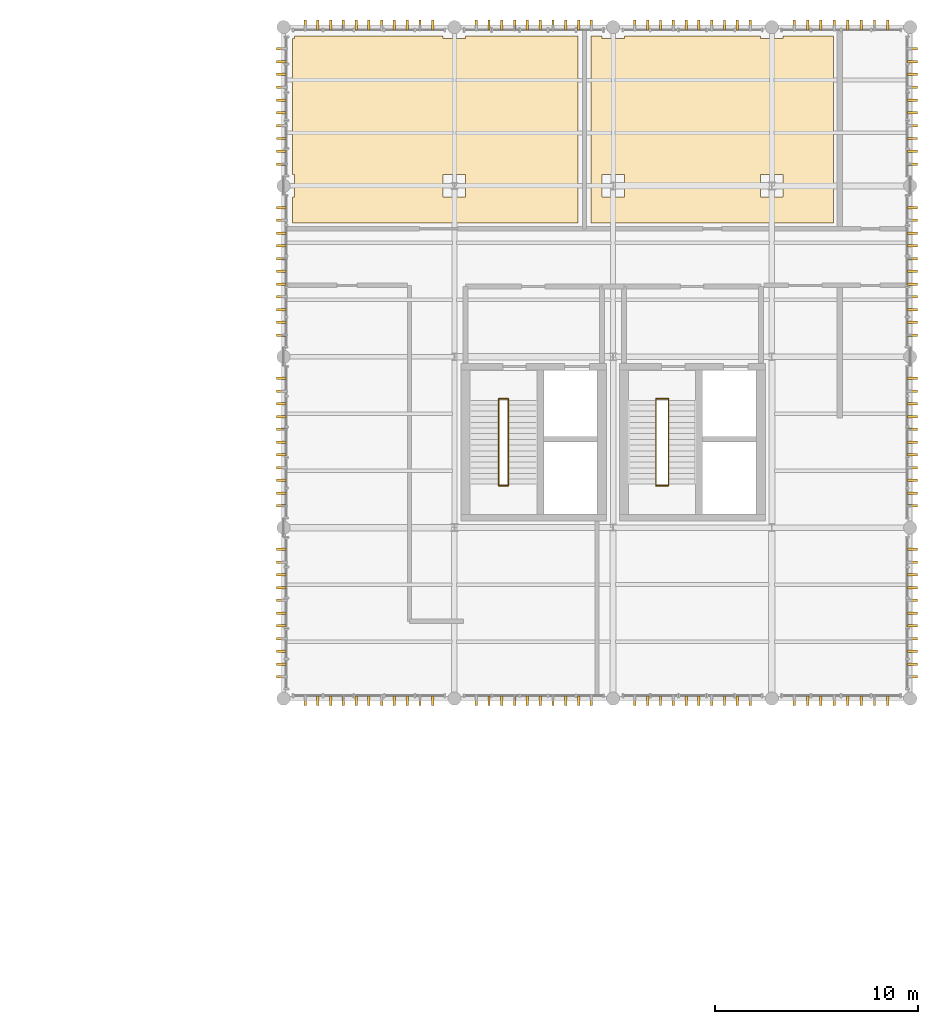
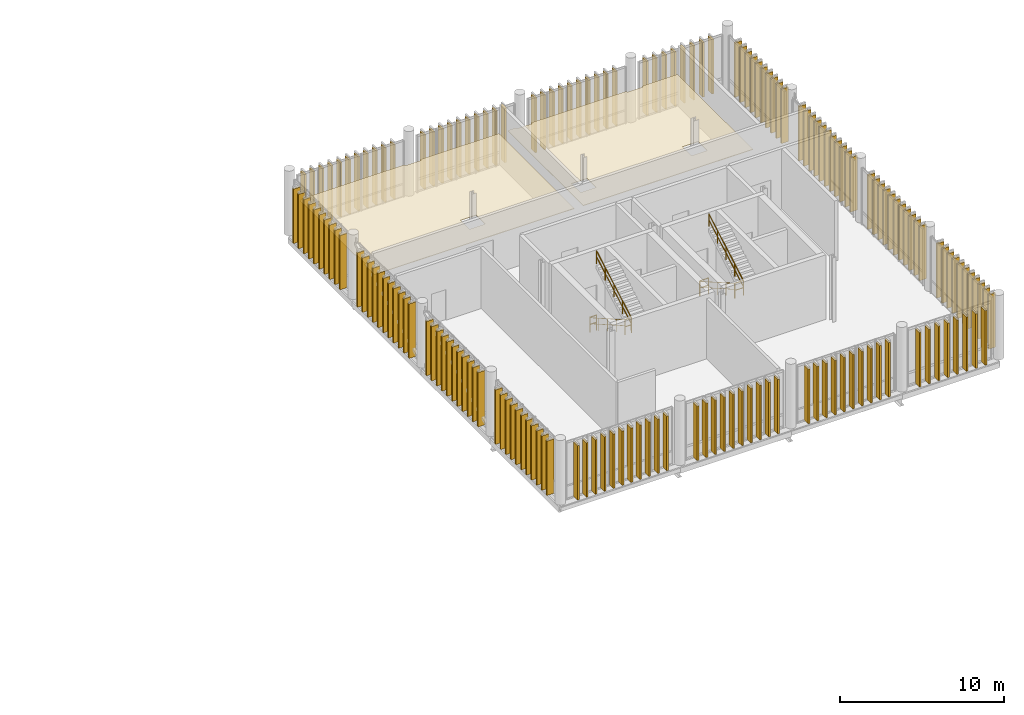
# One storey, part 83 of 86: 166 coverings, 8 railings.
"""IFC4 building model written with IfcOpenShell, lengths in metres."""

from ifc_helpers import new_model, si_unit, direction, frame, frame_2d, origin_with_axes, origin_2d_with_axis, place, context, subcontext, project, spatial, polyline, rectangle, circle, outline, extrude, material, type_object, element, save


model = new_model("IFC4")

# Units and contexts
model_context = context("Model", 3, precision=1e-05, world=origin_with_axes(), true_north=direction((0.0, 1.0)))
body_context = subcontext(model_context, "Body", "Model", "MODEL_VIEW")
ifc_project = project(units=[si_unit("LENGTHUNIT", "METRE"), si_unit("AREAUNIT", "SQUARE_METRE"), si_unit("VOLUMEUNIT", "CUBIC_METRE"), si_unit("PLANEANGLEUNIT", "RADIAN"), si_unit("MASSUNIT", "GRAM", prefix="KILO"), si_unit("THERMODYNAMICTEMPERATUREUNIT", "KELVIN")], contexts=[model_context])

# Site, building, storey
site_placement = place(None, origin_with_axes())
site = spatial("IfcSite", under=ifc_project, at=site_placement, CompositionType="ELEMENT")
building_placement = place(site_placement, origin_with_axes())
building = spatial("IfcBuilding", under=site, at=building_placement, Name="Montbau Bow Law Courts", CompositionType="ELEMENT")
storey_placement = place(building_placement, frame((0.0, 0.0, 29.7), z_axis=(0.0, 0.0, 1.0), x_axis=(1.0, 0.0, 0.0)))
storey = spatial("IfcBuildingStorey", under=building, at=storey_placement, Name="L06", CompositionType="ELEMENT", Elevation=29.7)

# Coverings
ifc_material_1 = material(Name="Micro-Perforated White-Oak Acoustic Courtroom Ceiling", Category="wood")
covering_type_1 = type_object("IfcCoveringType", Name="CV-CLG-01", PredefinedType="CEILING", material=ifc_material_1)
covering_1_placement = place(None, frame((0.0, 0.0, 32.24), z_axis=(0.0, 0.0, 1.0), x_axis=(1.0, 0.0, 0.0)))
element("IfcCovering", 1, at=covering_1_placement, inside=storey, type_object=covering_type_1, Name="CLG-L06-02:cov_3544", PredefinedType="CEILING", context=body_context, shape_type="SweptSolid", body=[
    extrude(outline(polyline([(146.45, 110.56), (146.45, 110.45), (147.55, 110.45), (147.55, 110.56), (153.083, 110.56), (153.083, 101.38), (139.04, 101.38), (139.04, 102.65), (139.15, 102.65), (139.15, 103.75), (139.04, 103.75), (139.04, 110.45), (139.15, 110.45), (139.15, 110.56), (146.45, 110.56)]), holes=[polyline([(146.45, 103.75), (146.45, 102.65), (147.55, 102.65), (147.55, 103.75), (146.45, 103.75)])]), origin_with_axes(), (0.0, 0.0, 1.0), 0.04),
])
ifc_material_2 = material(Name="Mineral-Fibre Acoustic Lay-In Tile Ceiling", Category="gypsum")
covering_type_2 = type_object("IfcCoveringType", Name="CV-CLG-02", PredefinedType="CEILING", material=ifc_material_2)
covering_2_placement = place(None, frame((0.0, 0.0, 32.24), z_axis=(0.0, 0.0, 1.0), x_axis=(1.0, 0.0, 0.0)))
element("IfcCovering", 2, at=covering_2_placement, inside=storey, type_object=covering_type_2, Name="CLG-L06-03:cov_3545", PredefinedType="CEILING", context=body_context, shape_type="SweptSolid", body=[
    extrude(outline(polyline([(154.25, 110.56), (154.25, 110.45), (155.35, 110.45), (155.35, 110.56), (162.05, 110.56), (162.05, 110.45), (163.15, 110.45), (163.15, 110.56), (165.63, 110.56), (165.63, 101.38), (153.703, 101.38), (153.703, 110.56), (154.25, 110.56)]), holes=[polyline([(154.25, 103.75), (154.25, 102.65), (155.35, 102.65), (155.35, 103.75), (154.25, 103.75)]), polyline([(162.05, 102.65), (163.15, 102.65), (163.15, 103.75), (162.05, 103.75), (162.05, 102.65)])]), origin_with_axes(), (0.0, 0.0, 1.0), 0.04),
])
ifc_material_3 = material(Name="Freeze-Thaw Glazed Slate-Grey Ceramic Vertical Louvre", Category="masonry")
covering_type_3 = type_object("IfcCoveringType", Name="CV-LVR-SLT", PredefinedType="CLADDING", material=ifc_material_3)
for number, where, z_axis, x_axis, name in (
    (3, (139.667, 78.13, 29.7), (-1.0, 0.0, 0.0), (0.0, -1.0, 0.0), "CLV-L06-3066:cov_3111"),
    (4, (140.293, 78.13, 29.7), (-1.0, 0.0, 0.0), (0.0, -1.0, 0.0), "CLV-L06-3067:cov_3112"),
    (5, (140.92, 78.13, 29.7), (-1.0, 0.0, 0.0), (0.0, -1.0, 0.0), "CLV-L06-3068:cov_3113"),
    (6, (141.547, 78.13, 29.7), (-1.0, 0.0, 0.0), (0.0, -1.0, 0.0), "CLV-L06-3069:cov_3114"),
    (7, (142.173, 78.13, 29.7), (-1.0, 0.0, 0.0), (0.0, -1.0, 0.0), "CLV-L06-3070:cov_3115"),
    (8, (142.8, 78.13, 29.7), (-1.0, 0.0, 0.0), (0.0, -1.0, 0.0), "CLV-L06-3071:cov_3116"),
    (9, (143.427, 78.13, 29.7), (-1.0, 0.0, 0.0), (0.0, -1.0, 0.0), "CLV-L06-3072:cov_3117"),
    (10, (144.053, 78.13, 29.7), (-1.0, 0.0, 0.0), (0.0, -1.0, 0.0), "CLV-L06-3073:cov_3118"),
    (11, (144.68, 78.13, 29.7), (-1.0, 0.0, 0.0), (0.0, -1.0, 0.0), "CLV-L06-3074:cov_3119"),
    (12, (145.307, 78.13, 29.7), (-1.0, 0.0, 0.0), (0.0, -1.0, 0.0), "CLV-L06-3075:cov_3120"),
    (13, (145.933, 78.13, 29.7), (-1.0, 0.0, 0.0), (0.0, -1.0, 0.0), "CLV-L06-3076:cov_3121"),
    (14, (148.069, 78.13, 29.7), (-1.0, 0.0, 0.0), (0.0, -1.0, 0.0), "CLV-L06-3077:cov_3122"),
    (15, (148.698, 78.13, 29.7), (-1.0, 0.0, 0.0), (0.0, -1.0, 0.0), "CLV-L06-3078:cov_3123"),
    (16, (149.327, 78.13, 29.7), (-1.0, 0.0, 0.0), (0.0, -1.0, 0.0), "CLV-L06-3079:cov_3124"),
    (17, (149.956, 78.13, 29.7), (-1.0, 0.0, 0.0), (0.0, -1.0, 0.0), "CLV-L06-3080:cov_3125"),
    (18, (150.585, 78.13, 29.7), (-1.0, 0.0, 0.0), (0.0, -1.0, 0.0), "CLV-L06-3081:cov_3126"),
    (19, (151.215, 78.13, 29.7), (-1.0, 0.0, 0.0), (0.0, -1.0, 0.0), "CLV-L06-3082:cov_3127"),
    (20, (151.844, 78.13, 29.7), (-1.0, 0.0, 0.0), (0.0, -1.0, 0.0), "CLV-L06-3083:cov_3128"),
    (21, (152.473, 78.13, 29.7), (-1.0, 0.0, 0.0), (0.0, -1.0, 0.0), "CLV-L06-3084:cov_3129"),
    (22, (153.102, 78.13, 29.7), (-1.0, 0.0, 0.0), (0.0, -1.0, 0.0), "CLV-L06-3085:cov_3130"),
    (23, (153.731, 78.13, 29.7), (-1.0, 0.0, 0.0), (0.0, -1.0, 0.0), "CLV-L06-3086:cov_3131"),
    (24, (155.869, 78.13, 29.7), (-1.0, 0.0, 0.0), (0.0, -1.0, 0.0), "CLV-L06-3087:cov_3132"),
    (25, (156.498, 78.13, 29.7), (-1.0, 0.0, 0.0), (0.0, -1.0, 0.0), "CLV-L06-3088:cov_3133"),
    (26, (157.127, 78.13, 29.7), (-1.0, 0.0, 0.0), (0.0, -1.0, 0.0), "CLV-L06-3089:cov_3134"),
    (27, (157.756, 78.13, 29.7), (-1.0, 0.0, 0.0), (0.0, -1.0, 0.0), "CLV-L06-3090:cov_3135"),
    (28, (158.385, 78.13, 29.7), (-1.0, 0.0, 0.0), (0.0, -1.0, 0.0), "CLV-L06-3091:cov_3136"),
    (29, (159.015, 78.13, 29.7), (-1.0, 0.0, 0.0), (0.0, -1.0, 0.0), "CLV-L06-3092:cov_3137"),
    (30, (159.644, 78.13, 29.7), (-1.0, 0.0, 0.0), (0.0, -1.0, 0.0), "CLV-L06-3093:cov_3138"),
    (31, (160.273, 78.13, 29.7), (-1.0, 0.0, 0.0), (0.0, -1.0, 0.0), "CLV-L06-3094:cov_3139"),
    (32, (160.902, 78.13, 29.7), (-1.0, 0.0, 0.0), (0.0, -1.0, 0.0), "CLV-L06-3095:cov_3140"),
    (33, (161.531, 78.13, 29.7), (-1.0, 0.0, 0.0), (0.0, -1.0, 0.0), "CLV-L06-3096:cov_3141"),
    (34, (163.698, 78.13, 29.7), (-1.0, 0.0, 0.0), (0.0, -1.0, 0.0), "CLV-L06-3097:cov_3142"),
    (35, (164.356, 78.13, 29.7), (-1.0, 0.0, 0.0), (0.0, -1.0, 0.0), "CLV-L06-3098:cov_3143"),
    (36, (165.013, 78.13, 29.7), (-1.0, 0.0, 0.0), (0.0, -1.0, 0.0), "CLV-L06-3099:cov_3144"),
    (37, (165.671, 78.13, 29.7), (-1.0, 0.0, 0.0), (0.0, -1.0, 0.0), "CLV-L06-3100:cov_3145"),
    (38, (166.329, 78.13, 29.7), (-1.0, 0.0, 0.0), (0.0, -1.0, 0.0), "CLV-L06-3101:cov_3146"),
    (39, (166.987, 78.13, 29.7), (-1.0, 0.0, 0.0), (0.0, -1.0, 0.0), "CLV-L06-3102:cov_3147"),
    (40, (167.644, 78.13, 29.7), (-1.0, 0.0, 0.0), (0.0, -1.0, 0.0), "CLV-L06-3103:cov_3148"),
    (41, (168.302, 78.13, 29.7), (-1.0, 0.0, 0.0), (0.0, -1.0, 0.0), "CLV-L06-3104:cov_3149"),
    (42, (139.667, 110.87, 29.7), (1.0, 0.0, 0.0), (0.0, 1.0, 0.0), "CLV-L06-3105:cov_3150"),
    (43, (140.293, 110.87, 29.7), (1.0, 0.0, 0.0), (0.0, 1.0, 0.0), "CLV-L06-3106:cov_3151"),
    (44, (140.92, 110.87, 29.7), (1.0, 0.0, 0.0), (0.0, 1.0, 0.0), "CLV-L06-3107:cov_3152"),
    (45, (141.547, 110.87, 29.7), (1.0, 0.0, 0.0), (0.0, 1.0, 0.0), "CLV-L06-3108:cov_3153"),
    (46, (142.173, 110.87, 29.7), (1.0, 0.0, 0.0), (0.0, 1.0, 0.0), "CLV-L06-3109:cov_3154"),
    (47, (142.8, 110.87, 29.7), (1.0, 0.0, 0.0), (0.0, 1.0, 0.0), "CLV-L06-3110:cov_3155"),
    (48, (143.427, 110.87, 29.7), (1.0, 0.0, 0.0), (0.0, 1.0, 0.0), "CLV-L06-3111:cov_3156"),
    (49, (144.053, 110.87, 29.7), (1.0, 0.0, 0.0), (0.0, 1.0, 0.0), "CLV-L06-3112:cov_3157"),
    (50, (144.68, 110.87, 29.7), (1.0, 0.0, 0.0), (0.0, 1.0, 0.0), "CLV-L06-3113:cov_3158"),
    (51, (145.307, 110.87, 29.7), (1.0, 0.0, 0.0), (0.0, 1.0, 0.0), "CLV-L06-3114:cov_3159"),
    (52, (145.933, 110.87, 29.7), (1.0, 0.0, 0.0), (0.0, 1.0, 0.0), "CLV-L06-3115:cov_3160"),
    (53, (148.069, 110.87, 29.7), (1.0, 0.0, 0.0), (0.0, 1.0, 0.0), "CLV-L06-3116:cov_3161"),
    (54, (148.698, 110.87, 29.7), (1.0, 0.0, 0.0), (0.0, 1.0, 0.0), "CLV-L06-3117:cov_3162"),
    (55, (149.327, 110.87, 29.7), (1.0, 0.0, 0.0), (0.0, 1.0, 0.0), "CLV-L06-3118:cov_3163"),
    (56, (149.956, 110.87, 29.7), (1.0, 0.0, 0.0), (0.0, 1.0, 0.0), "CLV-L06-3119:cov_3164"),
    (57, (150.585, 110.87, 29.7), (1.0, 0.0, 0.0), (0.0, 1.0, 0.0), "CLV-L06-3120:cov_3165"),
    (58, (151.215, 110.87, 29.7), (1.0, 0.0, 0.0), (0.0, 1.0, 0.0), "CLV-L06-3121:cov_3166"),
    (59, (151.844, 110.87, 29.7), (1.0, 0.0, 0.0), (0.0, 1.0, 0.0), "CLV-L06-3122:cov_3167"),
    (60, (152.473, 110.87, 29.7), (1.0, 0.0, 0.0), (0.0, 1.0, 0.0), "CLV-L06-3123:cov_3168"),
    (61, (153.102, 110.87, 29.7), (1.0, 0.0, 0.0), (0.0, 1.0, 0.0), "CLV-L06-3124:cov_3169"),
    (62, (153.731, 110.87, 29.7), (1.0, 0.0, 0.0), (0.0, 1.0, 0.0), "CLV-L06-3125:cov_3170"),
    (63, (155.869, 110.87, 29.7), (1.0, 0.0, 0.0), (0.0, 1.0, 0.0), "CLV-L06-3126:cov_3171"),
    (64, (156.498, 110.87, 29.7), (1.0, 0.0, 0.0), (0.0, 1.0, 0.0), "CLV-L06-3127:cov_3172"),
    (65, (157.127, 110.87, 29.7), (1.0, 0.0, 0.0), (0.0, 1.0, 0.0), "CLV-L06-3128:cov_3173"),
    (66, (157.756, 110.87, 29.7), (1.0, 0.0, 0.0), (0.0, 1.0, 0.0), "CLV-L06-3129:cov_3174"),
    (67, (158.385, 110.87, 29.7), (1.0, 0.0, 0.0), (0.0, 1.0, 0.0), "CLV-L06-3130:cov_3175"),
    (68, (159.015, 110.87, 29.7), (1.0, 0.0, 0.0), (0.0, 1.0, 0.0), "CLV-L06-3131:cov_3176"),
    (69, (159.644, 110.87, 29.7), (1.0, 0.0, 0.0), (0.0, 1.0, 0.0), "CLV-L06-3132:cov_3177"),
    (70, (160.273, 110.87, 29.7), (1.0, 0.0, 0.0), (0.0, 1.0, 0.0), "CLV-L06-3133:cov_3178"),
    (71, (160.902, 110.87, 29.7), (1.0, 0.0, 0.0), (0.0, 1.0, 0.0), "CLV-L06-3134:cov_3179"),
    (72, (161.531, 110.87, 29.7), (1.0, 0.0, 0.0), (0.0, 1.0, 0.0), "CLV-L06-3135:cov_3180"),
    (73, (163.698, 110.87, 29.7), (1.0, 0.0, 0.0), (0.0, 1.0, 0.0), "CLV-L06-3136:cov_3181"),
    (74, (164.356, 110.87, 29.7), (1.0, 0.0, 0.0), (0.0, 1.0, 0.0), "CLV-L06-3137:cov_3182"),
    (75, (165.013, 110.87, 29.7), (1.0, 0.0, 0.0), (0.0, 1.0, 0.0), "CLV-L06-3138:cov_3183"),
    (76, (165.671, 110.87, 29.7), (1.0, 0.0, 0.0), (0.0, 1.0, 0.0), "CLV-L06-3139:cov_3184"),
    (77, (166.329, 110.87, 29.7), (1.0, 0.0, 0.0), (0.0, 1.0, 0.0), "CLV-L06-3140:cov_3185"),
    (78, (166.987, 110.87, 29.7), (1.0, 0.0, 0.0), (0.0, 1.0, 0.0), "CLV-L06-3141:cov_3186"),
    (79, (167.644, 110.87, 29.7), (1.0, 0.0, 0.0), (0.0, 1.0, 0.0), "CLV-L06-3142:cov_3187"),
    (80, (168.302, 110.87, 29.7), (1.0, 0.0, 0.0), (0.0, 1.0, 0.0), "CLV-L06-3143:cov_3188"),
    (81, (138.73, 79.067, 29.7), (0.0, 1.0, 0.0), (-1.0, 0.0, 0.0), "CLV-L06-3144:cov_3189"),
    (82, (138.73, 79.693, 29.7), (0.0, 1.0, 0.0), (-1.0, 0.0, 0.0), "CLV-L06-3145:cov_3190"),
    (83, (138.73, 80.32, 29.7), (0.0, 1.0, 0.0), (-1.0, 0.0, 0.0), "CLV-L06-3146:cov_3191"),
    (84, (138.73, 80.947, 29.7), (0.0, 1.0, 0.0), (-1.0, 0.0, 0.0), "CLV-L06-3147:cov_3192"),
    (85, (138.73, 81.573, 29.7), (0.0, 1.0, 0.0), (-1.0, 0.0, 0.0), "CLV-L06-3148:cov_3193"),
    (86, (138.73, 82.2, 29.7), (0.0, 1.0, 0.0), (-1.0, 0.0, 0.0), "CLV-L06-3149:cov_3194"),
    (87, (138.73, 82.827, 29.7), (0.0, 1.0, 0.0), (-1.0, 0.0, 0.0), "CLV-L06-3150:cov_3195"),
    (88, (138.73, 83.453, 29.7), (0.0, 1.0, 0.0), (-1.0, 0.0, 0.0), "CLV-L06-3151:cov_3196"),
    (89, (138.73, 84.08, 29.7), (0.0, 1.0, 0.0), (-1.0, 0.0, 0.0), "CLV-L06-3152:cov_3197"),
    (90, (138.73, 84.707, 29.7), (0.0, 1.0, 0.0), (-1.0, 0.0, 0.0), "CLV-L06-3153:cov_3198"),
    (91, (138.73, 85.333, 29.7), (0.0, 1.0, 0.0), (-1.0, 0.0, 0.0), "CLV-L06-3154:cov_3199"),
    (92, (138.73, 87.467, 29.7), (0.0, 1.0, 0.0), (-1.0, 0.0, 0.0), "CLV-L06-3155:cov_3200"),
    (93, (138.73, 88.093, 29.7), (0.0, 1.0, 0.0), (-1.0, 0.0, 0.0), "CLV-L06-3156:cov_3201"),
    (94, (138.73, 88.72, 29.7), (0.0, 1.0, 0.0), (-1.0, 0.0, 0.0), "CLV-L06-3157:cov_3202"),
    (95, (138.73, 89.347, 29.7), (0.0, 1.0, 0.0), (-1.0, 0.0, 0.0), "CLV-L06-3158:cov_3203"),
    (96, (138.73, 89.973, 29.7), (0.0, 1.0, 0.0), (-1.0, 0.0, 0.0), "CLV-L06-3159:cov_3204"),
    (97, (138.73, 90.6, 29.7), (0.0, 1.0, 0.0), (-1.0, 0.0, 0.0), "CLV-L06-3160:cov_3205"),
    (98, (138.73, 91.227, 29.7), (0.0, 1.0, 0.0), (-1.0, 0.0, 0.0), "CLV-L06-3161:cov_3206"),
    (99, (138.73, 91.853, 29.7), (0.0, 1.0, 0.0), (-1.0, 0.0, 0.0), "CLV-L06-3162:cov_3207"),
    (100, (138.73, 92.48, 29.7), (0.0, 1.0, 0.0), (-1.0, 0.0, 0.0), "CLV-L06-3163:cov_3208"),
    (101, (138.73, 93.107, 29.7), (0.0, 1.0, 0.0), (-1.0, 0.0, 0.0), "CLV-L06-3164:cov_3209"),
    (102, (138.73, 93.733, 29.7), (0.0, 1.0, 0.0), (-1.0, 0.0, 0.0), "CLV-L06-3165:cov_3210"),
    (103, (138.73, 95.867, 29.7), (0.0, 1.0, 0.0), (-1.0, 0.0, 0.0), "CLV-L06-3166:cov_3211"),
    (104, (138.73, 96.493, 29.7), (0.0, 1.0, 0.0), (-1.0, 0.0, 0.0), "CLV-L06-3167:cov_3212"),
    (105, (138.73, 97.12, 29.7), (0.0, 1.0, 0.0), (-1.0, 0.0, 0.0), "CLV-L06-3168:cov_3213"),
    (106, (138.73, 97.747, 29.7), (0.0, 1.0, 0.0), (-1.0, 0.0, 0.0), "CLV-L06-3169:cov_3214"),
    (107, (138.73, 98.373, 29.7), (0.0, 1.0, 0.0), (-1.0, 0.0, 0.0), "CLV-L06-3170:cov_3215"),
    (108, (138.73, 99.0, 29.7), (0.0, 1.0, 0.0), (-1.0, 0.0, 0.0), "CLV-L06-3171:cov_3216"),
    (109, (138.73, 99.627, 29.7), (0.0, 1.0, 0.0), (-1.0, 0.0, 0.0), "CLV-L06-3172:cov_3217"),
    (110, (138.73, 100.253, 29.7), (0.0, 1.0, 0.0), (-1.0, 0.0, 0.0), "CLV-L06-3173:cov_3218"),
    (111, (138.73, 100.88, 29.7), (0.0, 1.0, 0.0), (-1.0, 0.0, 0.0), "CLV-L06-3174:cov_3219"),
    (112, (138.73, 101.507, 29.7), (0.0, 1.0, 0.0), (-1.0, 0.0, 0.0), "CLV-L06-3175:cov_3220"),
    (113, (138.73, 102.133, 29.7), (0.0, 1.0, 0.0), (-1.0, 0.0, 0.0), "CLV-L06-3176:cov_3221"),
    (114, (138.73, 104.269, 29.7), (0.0, 1.0, 0.0), (-1.0, 0.0, 0.0), "CLV-L06-3177:cov_3222"),
    (115, (138.73, 104.898, 29.7), (0.0, 1.0, 0.0), (-1.0, 0.0, 0.0), "CLV-L06-3178:cov_3223"),
    (116, (138.73, 105.527, 29.7), (0.0, 1.0, 0.0), (-1.0, 0.0, 0.0), "CLV-L06-3179:cov_3224"),
    (117, (138.73, 106.156, 29.7), (0.0, 1.0, 0.0), (-1.0, 0.0, 0.0), "CLV-L06-3180:cov_3225"),
    (118, (138.73, 106.785, 29.7), (0.0, 1.0, 0.0), (-1.0, 0.0, 0.0), "CLV-L06-3181:cov_3226"),
    (119, (138.73, 107.415, 29.7), (0.0, 1.0, 0.0), (-1.0, 0.0, 0.0), "CLV-L06-3182:cov_3227"),
    (120, (138.73, 108.044, 29.7), (0.0, 1.0, 0.0), (-1.0, 0.0, 0.0), "CLV-L06-3183:cov_3228"),
    (121, (138.73, 108.673, 29.7), (0.0, 1.0, 0.0), (-1.0, 0.0, 0.0), "CLV-L06-3184:cov_3229"),
    (122, (138.73, 109.302, 29.7), (0.0, 1.0, 0.0), (-1.0, 0.0, 0.0), "CLV-L06-3185:cov_3230"),
    (123, (138.73, 109.931, 29.7), (0.0, 1.0, 0.0), (-1.0, 0.0, 0.0), "CLV-L06-3186:cov_3231"),
    (124, (169.27, 79.067, 29.7), (0.0, -1.0, 0.0), (1.0, 0.0, 0.0), "CLV-L06-3187:cov_3232"),
    (125, (169.27, 79.693, 29.7), (0.0, -1.0, 0.0), (1.0, 0.0, 0.0), "CLV-L06-3188:cov_3233"),
    (126, (169.27, 80.32, 29.7), (0.0, -1.0, 0.0), (1.0, 0.0, 0.0), "CLV-L06-3189:cov_3234"),
    (127, (169.27, 80.947, 29.7), (0.0, -1.0, 0.0), (1.0, 0.0, 0.0), "CLV-L06-3190:cov_3235"),
    (128, (169.27, 81.573, 29.7), (0.0, -1.0, 0.0), (1.0, 0.0, 0.0), "CLV-L06-3191:cov_3236"),
    (129, (169.27, 82.2, 29.7), (0.0, -1.0, 0.0), (1.0, 0.0, 0.0), "CLV-L06-3192:cov_3237"),
    (130, (169.27, 82.827, 29.7), (0.0, -1.0, 0.0), (1.0, 0.0, 0.0), "CLV-L06-3193:cov_3238"),
    (131, (169.27, 83.453, 29.7), (0.0, -1.0, 0.0), (1.0, 0.0, 0.0), "CLV-L06-3194:cov_3239"),
    (132, (169.27, 84.08, 29.7), (0.0, -1.0, 0.0), (1.0, 0.0, 0.0), "CLV-L06-3195:cov_3240"),
    (133, (169.27, 84.707, 29.7), (0.0, -1.0, 0.0), (1.0, 0.0, 0.0), "CLV-L06-3196:cov_3241"),
    (134, (169.27, 85.333, 29.7), (0.0, -1.0, 0.0), (1.0, 0.0, 0.0), "CLV-L06-3197:cov_3242"),
    (135, (169.27, 87.467, 29.7), (0.0, -1.0, 0.0), (1.0, 0.0, 0.0), "CLV-L06-3198:cov_3243"),
    (136, (169.27, 88.093, 29.7), (0.0, -1.0, 0.0), (1.0, 0.0, 0.0), "CLV-L06-3199:cov_3244"),
    (137, (169.27, 88.72, 29.7), (0.0, -1.0, 0.0), (1.0, 0.0, 0.0), "CLV-L06-3200:cov_3245"),
    (138, (169.27, 89.347, 29.7), (0.0, -1.0, 0.0), (1.0, 0.0, 0.0), "CLV-L06-3201:cov_3246"),
    (139, (169.27, 89.973, 29.7), (0.0, -1.0, 0.0), (1.0, 0.0, 0.0), "CLV-L06-3202:cov_3247"),
    (140, (169.27, 90.6, 29.7), (0.0, -1.0, 0.0), (1.0, 0.0, 0.0), "CLV-L06-3203:cov_3248"),
    (141, (169.27, 91.227, 29.7), (0.0, -1.0, 0.0), (1.0, 0.0, 0.0), "CLV-L06-3204:cov_3249"),
    (142, (169.27, 91.853, 29.7), (0.0, -1.0, 0.0), (1.0, 0.0, 0.0), "CLV-L06-3205:cov_3250"),
    (143, (169.27, 92.48, 29.7), (0.0, -1.0, 0.0), (1.0, 0.0, 0.0), "CLV-L06-3206:cov_3251"),
    (144, (169.27, 93.107, 29.7), (0.0, -1.0, 0.0), (1.0, 0.0, 0.0), "CLV-L06-3207:cov_3252"),
    (145, (169.27, 93.733, 29.7), (0.0, -1.0, 0.0), (1.0, 0.0, 0.0), "CLV-L06-3208:cov_3253"),
    (146, (169.27, 95.867, 29.7), (0.0, -1.0, 0.0), (1.0, 0.0, 0.0), "CLV-L06-3209:cov_3254"),
    (147, (169.27, 96.493, 29.7), (0.0, -1.0, 0.0), (1.0, 0.0, 0.0), "CLV-L06-3210:cov_3255"),
    (148, (169.27, 97.12, 29.7), (0.0, -1.0, 0.0), (1.0, 0.0, 0.0), "CLV-L06-3211:cov_3256"),
    (149, (169.27, 97.747, 29.7), (0.0, -1.0, 0.0), (1.0, 0.0, 0.0), "CLV-L06-3212:cov_3257"),
    (150, (169.27, 98.373, 29.7), (0.0, -1.0, 0.0), (1.0, 0.0, 0.0), "CLV-L06-3213:cov_3258"),
    (151, (169.27, 99.0, 29.7), (0.0, -1.0, 0.0), (1.0, 0.0, 0.0), "CLV-L06-3214:cov_3259"),
    (152, (169.27, 99.627, 29.7), (0.0, -1.0, 0.0), (1.0, 0.0, 0.0), "CLV-L06-3215:cov_3260"),
    (153, (169.27, 100.253, 29.7), (0.0, -1.0, 0.0), (1.0, 0.0, 0.0), "CLV-L06-3216:cov_3261"),
    (154, (169.27, 100.88, 29.7), (0.0, -1.0, 0.0), (1.0, 0.0, 0.0), "CLV-L06-3217:cov_3262"),
    (155, (169.27, 101.507, 29.7), (0.0, -1.0, 0.0), (1.0, 0.0, 0.0), "CLV-L06-3218:cov_3263"),
    (156, (169.27, 102.133, 29.7), (0.0, -1.0, 0.0), (1.0, 0.0, 0.0), "CLV-L06-3219:cov_3264"),
    (157, (169.27, 104.269, 29.7), (0.0, -1.0, 0.0), (1.0, 0.0, 0.0), "CLV-L06-3220:cov_3265"),
    (158, (169.27, 104.898, 29.7), (0.0, -1.0, 0.0), (1.0, 0.0, 0.0), "CLV-L06-3221:cov_3266"),
    (159, (169.27, 105.527, 29.7), (0.0, -1.0, 0.0), (1.0, 0.0, 0.0), "CLV-L06-3222:cov_3267"),
    (160, (169.27, 106.156, 29.7), (0.0, -1.0, 0.0), (1.0, 0.0, 0.0), "CLV-L06-3223:cov_3268"),
    (161, (169.27, 106.785, 29.7), (0.0, -1.0, 0.0), (1.0, 0.0, 0.0), "CLV-L06-3224:cov_3269"),
    (162, (169.27, 107.415, 29.7), (0.0, -1.0, 0.0), (1.0, 0.0, 0.0), "CLV-L06-3225:cov_3270"),
    (163, (169.27, 108.044, 29.7), (0.0, -1.0, 0.0), (1.0, 0.0, 0.0), "CLV-L06-3226:cov_3271"),
    (164, (169.27, 108.673, 29.7), (0.0, -1.0, 0.0), (1.0, 0.0, 0.0), "CLV-L06-3227:cov_3272"),
    (165, (169.27, 109.302, 29.7), (0.0, -1.0, 0.0), (1.0, 0.0, 0.0), "CLV-L06-3228:cov_3273"),
    (166, (169.27, 109.931, 29.7), (0.0, -1.0, 0.0), (1.0, 0.0, 0.0), "CLV-L06-3229:cov_3274"),
):
    element("IfcCovering", number, at=place(None, frame(where, z_axis=z_axis, x_axis=x_axis)), inside=storey, type_object=covering_type_3, Name=name, PredefinedType="CLADDING", context=body_context, shape_type="SweptSolid", body=[
        extrude(rectangle(XDim=0.48, YDim=4.04, at=frame_2d((0.24, 2.02), x_axis=(1.0, 0.0))), frame((0.0, 0.0, -0.06), z_axis=(0.0, 0.0, 1.0), x_axis=(1.0, 0.0, 0.0)), (0.0, 0.0, 1.0), 0.12),
    ])

# Railings
ifc_material_4 = material(Name="Architectural Bronze-Finished Steel Stair Guard", Category="steel")
railing_type_1 = type_object("IfcRailingType", Name="RL-GRD-1100", PredefinedType="GUARDRAIL", material=ifc_material_4)
railing_1_placement = place(None, origin_with_axes())
element("IfcRailing", 167, at=railing_1_placement, inside=storey, type_object=railing_type_1, Name="SG-ST-P2-L06-ML:rlg_0188", PredefinedType="GUARDRAIL", context=body_context, shape_type="SweptSolid", body=[
    extrude(circle(Radius=0.0225, at=origin_2d_with_axis()), frame((149.185, 88.47, 33.202), z_axis=(1.0, 0.0, 0.0), x_axis=(0.0, 0.0, 1.0)), (0.0, 0.0, 1.0), 0.455),
    extrude(circle(Radius=0.02025, at=origin_2d_with_axis()), frame((149.185, 88.47, 32.672), z_axis=(1.0, 0.0, 0.0), x_axis=(0.0, 0.0, 1.0)), (0.0, 0.0, 1.0), 0.455),
    extrude(circle(Radius=0.02025, at=origin_2d_with_axis()), frame((149.185, 88.47, 32.1), z_axis=(0.0, 0.0, 1.0), x_axis=(1.0, 0.0, 0.0)), (0.0, 0.0, 1.0), 1.07525),
    extrude(circle(Radius=0.02025, at=origin_2d_with_axis()), frame((149.64, 88.47, 32.1), z_axis=(0.0, 0.0, 1.0), x_axis=(1.0, 0.0, 0.0)), (0.0, 0.0, 1.0), 1.07525),
])
railing_2_placement = place(None, origin_with_axes())
element("IfcRailing", 168, at=railing_2_placement, inside=storey, type_object=railing_type_1, Name="SG-ST-P2-L06-BL:rlg_0189", PredefinedType="GUARDRAIL", context=body_context, shape_type="SweptSolid", body=[
    extrude(circle(Radius=0.0225, at=origin_2d_with_axis()), frame((149.185, 92.73, 30.802), z_axis=(1.0, 0.0, 0.0), x_axis=(0.0, 0.0, 1.0)), (0.0, 0.0, 1.0), 0.455),
    extrude(circle(Radius=0.02025, at=origin_2d_with_axis()), frame((149.185, 92.73, 30.272), z_axis=(1.0, 0.0, 0.0), x_axis=(0.0, 0.0, 1.0)), (0.0, 0.0, 1.0), 0.455),
    extrude(circle(Radius=0.02025, at=origin_2d_with_axis()), frame((149.185, 92.73, 29.7), z_axis=(0.0, 0.0, 1.0), x_axis=(1.0, 0.0, 0.0)), (0.0, 0.0, 1.0), 1.07525),
    extrude(circle(Radius=0.02025, at=origin_2d_with_axis()), frame((149.64, 92.73, 29.7), z_axis=(0.0, 0.0, 1.0), x_axis=(1.0, 0.0, 0.0)), (0.0, 0.0, 1.0), 1.07525),
])
railing_3_placement = place(None, origin_with_axes())
element("IfcRailing", 169, at=railing_3_placement, inside=storey, type_object=railing_type_1, Name="SG-ST-J2-L06-ML:rlg_0231", PredefinedType="GUARDRAIL", context=body_context, shape_type="SweptSolid", body=[
    extrude(circle(Radius=0.0225, at=origin_2d_with_axis()), frame((156.905, 88.47, 33.202), z_axis=(1.0, 0.0, 0.0), x_axis=(0.0, 0.0, 1.0)), (0.0, 0.0, 1.0), 0.615),
    extrude(circle(Radius=0.02025, at=origin_2d_with_axis()), frame((156.905, 88.47, 32.672), z_axis=(1.0, 0.0, 0.0), x_axis=(0.0, 0.0, 1.0)), (0.0, 0.0, 1.0), 0.615),
    extrude(circle(Radius=0.02025, at=origin_2d_with_axis()), frame((156.905, 88.47, 32.1), z_axis=(0.0, 0.0, 1.0), x_axis=(1.0, 0.0, 0.0)), (0.0, 0.0, 1.0), 1.07525),
    extrude(circle(Radius=0.02025, at=origin_2d_with_axis()), frame((157.52, 88.47, 32.1), z_axis=(0.0, 0.0, 1.0), x_axis=(1.0, 0.0, 0.0)), (0.0, 0.0, 1.0), 1.07525),
])
railing_4_placement = place(None, origin_with_axes())
element("IfcRailing", 170, at=railing_4_placement, inside=storey, type_object=railing_type_1, Name="SG-ST-J2-L06-BL:rlg_0232", PredefinedType="GUARDRAIL", context=body_context, shape_type="SweptSolid", body=[
    extrude(circle(Radius=0.0225, at=origin_2d_with_axis()), frame((156.905, 92.73, 30.802), z_axis=(1.0, 0.0, 0.0), x_axis=(0.0, 0.0, 1.0)), (0.0, 0.0, 1.0), 0.615),
    extrude(circle(Radius=0.02025, at=origin_2d_with_axis()), frame((156.905, 92.73, 30.272), z_axis=(1.0, 0.0, 0.0), x_axis=(0.0, 0.0, 1.0)), (0.0, 0.0, 1.0), 0.615),
    extrude(circle(Radius=0.02025, at=origin_2d_with_axis()), frame((156.905, 92.73, 29.7), z_axis=(0.0, 0.0, 1.0), x_axis=(1.0, 0.0, 0.0)), (0.0, 0.0, 1.0), 1.07525),
    extrude(circle(Radius=0.02025, at=origin_2d_with_axis()), frame((157.52, 92.73, 29.7), z_axis=(0.0, 0.0, 1.0), x_axis=(1.0, 0.0, 0.0)), (0.0, 0.0, 1.0), 1.07525),
])
ifc_material_5 = material(Name="White-Oak and Stainless Continuous Stair Handrail", Category="steel")
railing_type_2 = type_object("IfcRailingType", Name="RL-HND-0920", PredefinedType="HANDRAIL", material=ifc_material_5)
railing_5_placement = place(None, origin_with_axes())
element("IfcRailing", 171, at=railing_5_placement, inside=storey, type_object=railing_type_2, Name="HR-ST-P2-L06-1:rlg_0190", PredefinedType="HANDRAIL", context=body_context, shape_type="SweptSolid", body=[
    extrude(circle(Radius=0.021, at=origin_2d_with_axis()), frame((149.185, 92.7, 30.782), z_axis=(0.0, -0.868243142, 0.496138938), x_axis=(0.0, 0.496138938, 0.868243142)), (0.0, 0.0, 1.0), 4.837355),
    extrude(circle(Radius=0.0189, at=origin_2d_with_axis()), frame((149.185, 92.7, 30.3384), z_axis=(0.0, -0.868243142, 0.496138938), x_axis=(0.0, 0.496138938, 0.868243142)), (0.0, 0.0, 1.0), 4.837355),
    extrude(circle(Radius=0.0189, at=origin_2d_with_axis()), frame((149.185, 92.7, 29.86), z_axis=(0.0, 0.0, 1.0), x_axis=(1.0, 0.0, 0.0)), (0.0, 0.0, 1.0), 0.8969),
    extrude(circle(Radius=0.0189, at=origin_2d_with_axis()), frame((149.185, 91.65, 30.46), z_axis=(0.0, 0.0, 1.0), x_axis=(1.0, 0.0, 0.0)), (0.0, 0.0, 1.0), 0.8969),
    extrude(circle(Radius=0.0189, at=origin_2d_with_axis()), frame((149.185, 90.6, 31.06), z_axis=(0.0, 0.0, 1.0), x_axis=(1.0, 0.0, 0.0)), (0.0, 0.0, 1.0), 0.8969),
    extrude(circle(Radius=0.0189, at=origin_2d_with_axis()), frame((149.185, 89.55, 31.66), z_axis=(0.0, 0.0, 1.0), x_axis=(1.0, 0.0, 0.0)), (0.0, 0.0, 1.0), 0.8969),
    extrude(circle(Radius=0.0189, at=origin_2d_with_axis()), frame((149.185, 88.5, 32.26), z_axis=(0.0, 0.0, 1.0), x_axis=(1.0, 0.0, 0.0)), (0.0, 0.0, 1.0), 0.8969),
])
railing_6_placement = place(None, origin_with_axes())
element("IfcRailing", 172, at=railing_6_placement, inside=storey, type_object=railing_type_2, Name="HR-ST-P2-L06-2:rlg_0191", PredefinedType="HANDRAIL", context=body_context, shape_type="SweptSolid", body=[
    extrude(circle(Radius=0.021, at=origin_2d_with_axis()), frame((149.64, 88.5, 33.182), z_axis=(0.0, 0.868243142, 0.496138938), x_axis=(0.0, -0.496138938, 0.868243142)), (0.0, 0.0, 1.0), 4.837355),
    extrude(circle(Radius=0.0189, at=origin_2d_with_axis()), frame((149.64, 88.5, 32.7384), z_axis=(0.0, 0.868243142, 0.496138938), x_axis=(0.0, -0.496138938, 0.868243142)), (0.0, 0.0, 1.0), 4.837355),
    extrude(circle(Radius=0.0189, at=origin_2d_with_axis()), frame((149.64, 88.5, 32.26), z_axis=(0.0, 0.0, 1.0), x_axis=(1.0, 0.0, 0.0)), (0.0, 0.0, 1.0), 0.8969),
    extrude(circle(Radius=0.0189, at=origin_2d_with_axis()), frame((149.64, 89.55, 32.86), z_axis=(0.0, 0.0, 1.0), x_axis=(1.0, 0.0, 0.0)), (0.0, 0.0, 1.0), 0.8969),
    extrude(circle(Radius=0.0189, at=origin_2d_with_axis()), frame((149.64, 90.6, 33.46), z_axis=(0.0, 0.0, 1.0), x_axis=(1.0, 0.0, 0.0)), (0.0, 0.0, 1.0), 0.8969),
    extrude(circle(Radius=0.0189, at=origin_2d_with_axis()), frame((149.64, 91.65, 34.06), z_axis=(0.0, 0.0, 1.0), x_axis=(1.0, 0.0, 0.0)), (0.0, 0.0, 1.0), 0.8969),
    extrude(circle(Radius=0.0189, at=origin_2d_with_axis()), frame((149.64, 92.7, 34.66), z_axis=(0.0, 0.0, 1.0), x_axis=(1.0, 0.0, 0.0)), (0.0, 0.0, 1.0), 0.8969),
])
railing_7_placement = place(None, origin_with_axes())
element("IfcRailing", 173, at=railing_7_placement, inside=storey, type_object=railing_type_2, Name="HR-ST-J2-L06-1:rlg_0233", PredefinedType="HANDRAIL", context=body_context, shape_type="SweptSolid", body=[
    extrude(circle(Radius=0.021, at=origin_2d_with_axis()), frame((156.905, 92.7, 30.782), z_axis=(0.0, -0.868243142, 0.496138938), x_axis=(0.0, 0.496138938, 0.868243142)), (0.0, 0.0, 1.0), 4.837355),
    extrude(circle(Radius=0.0189, at=origin_2d_with_axis()), frame((156.905, 92.7, 30.3384), z_axis=(0.0, -0.868243142, 0.496138938), x_axis=(0.0, 0.496138938, 0.868243142)), (0.0, 0.0, 1.0), 4.837355),
    extrude(circle(Radius=0.0189, at=origin_2d_with_axis()), frame((156.905, 92.7, 29.86), z_axis=(0.0, 0.0, 1.0), x_axis=(1.0, 0.0, 0.0)), (0.0, 0.0, 1.0), 0.8969),
    extrude(circle(Radius=0.0189, at=origin_2d_with_axis()), frame((156.905, 91.65, 30.46), z_axis=(0.0, 0.0, 1.0), x_axis=(1.0, 0.0, 0.0)), (0.0, 0.0, 1.0), 0.8969),
    extrude(circle(Radius=0.0189, at=origin_2d_with_axis()), frame((156.905, 90.6, 31.06), z_axis=(0.0, 0.0, 1.0), x_axis=(1.0, 0.0, 0.0)), (0.0, 0.0, 1.0), 0.8969),
    extrude(circle(Radius=0.0189, at=origin_2d_with_axis()), frame((156.905, 89.55, 31.66), z_axis=(0.0, 0.0, 1.0), x_axis=(1.0, 0.0, 0.0)), (0.0, 0.0, 1.0), 0.8969),
    extrude(circle(Radius=0.0189, at=origin_2d_with_axis()), frame((156.905, 88.5, 32.26), z_axis=(0.0, 0.0, 1.0), x_axis=(1.0, 0.0, 0.0)), (0.0, 0.0, 1.0), 0.8969),
])
railing_8_placement = place(None, origin_with_axes())
element("IfcRailing", 174, at=railing_8_placement, inside=storey, type_object=railing_type_2, Name="HR-ST-J2-L06-2:rlg_0234", PredefinedType="HANDRAIL", context=body_context, shape_type="SweptSolid", body=[
    extrude(circle(Radius=0.021, at=origin_2d_with_axis()), frame((157.52, 88.5, 33.182), z_axis=(0.0, 0.868243142, 0.496138938), x_axis=(0.0, -0.496138938, 0.868243142)), (0.0, 0.0, 1.0), 4.837355),
    extrude(circle(Radius=0.0189, at=origin_2d_with_axis()), frame((157.52, 88.5, 32.7384), z_axis=(0.0, 0.868243142, 0.496138938), x_axis=(0.0, -0.496138938, 0.868243142)), (0.0, 0.0, 1.0), 4.837355),
    extrude(circle(Radius=0.0189, at=origin_2d_with_axis()), frame((157.52, 88.5, 32.26), z_axis=(0.0, 0.0, 1.0), x_axis=(1.0, 0.0, 0.0)), (0.0, 0.0, 1.0), 0.8969),
    extrude(circle(Radius=0.0189, at=origin_2d_with_axis()), frame((157.52, 89.55, 32.86), z_axis=(0.0, 0.0, 1.0), x_axis=(1.0, 0.0, 0.0)), (0.0, 0.0, 1.0), 0.8969),
    extrude(circle(Radius=0.0189, at=origin_2d_with_axis()), frame((157.52, 90.6, 33.46), z_axis=(0.0, 0.0, 1.0), x_axis=(1.0, 0.0, 0.0)), (0.0, 0.0, 1.0), 0.8969),
    extrude(circle(Radius=0.0189, at=origin_2d_with_axis()), frame((157.52, 91.65, 34.06), z_axis=(0.0, 0.0, 1.0), x_axis=(1.0, 0.0, 0.0)), (0.0, 0.0, 1.0), 0.8969),
    extrude(circle(Radius=0.0189, at=origin_2d_with_axis()), frame((157.52, 92.7, 34.66), z_axis=(0.0, 0.0, 1.0), x_axis=(1.0, 0.0, 0.0)), (0.0, 0.0, 1.0), 0.8969),
])

save(model, "model.ifc")
